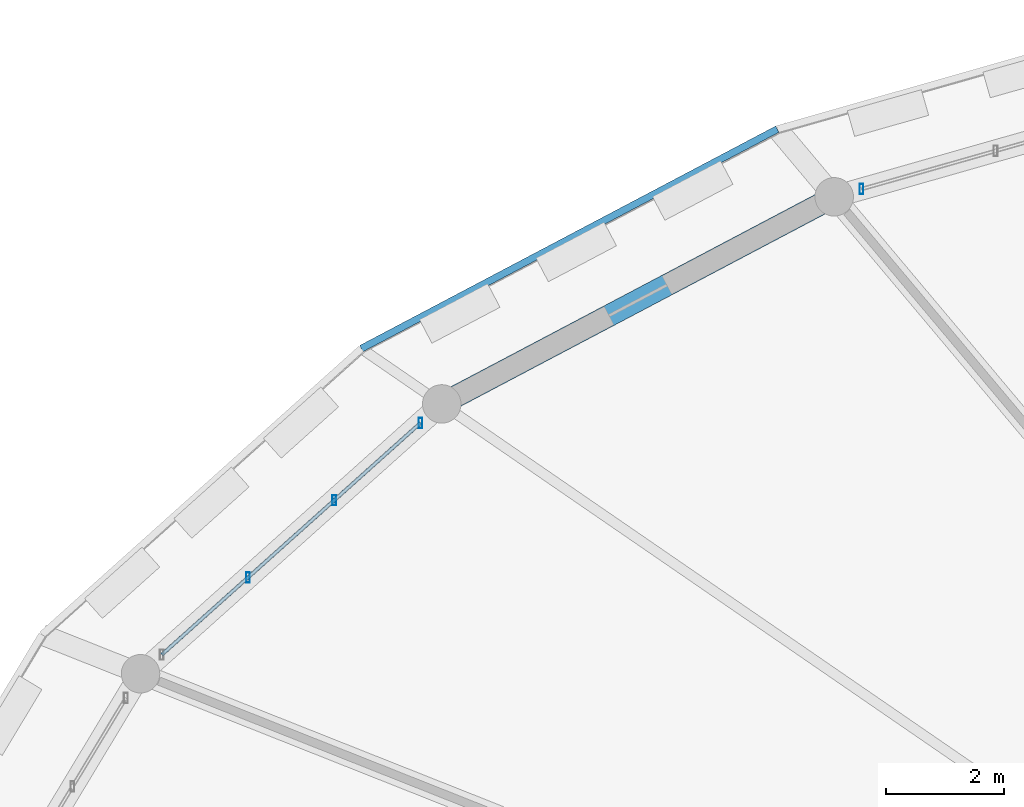
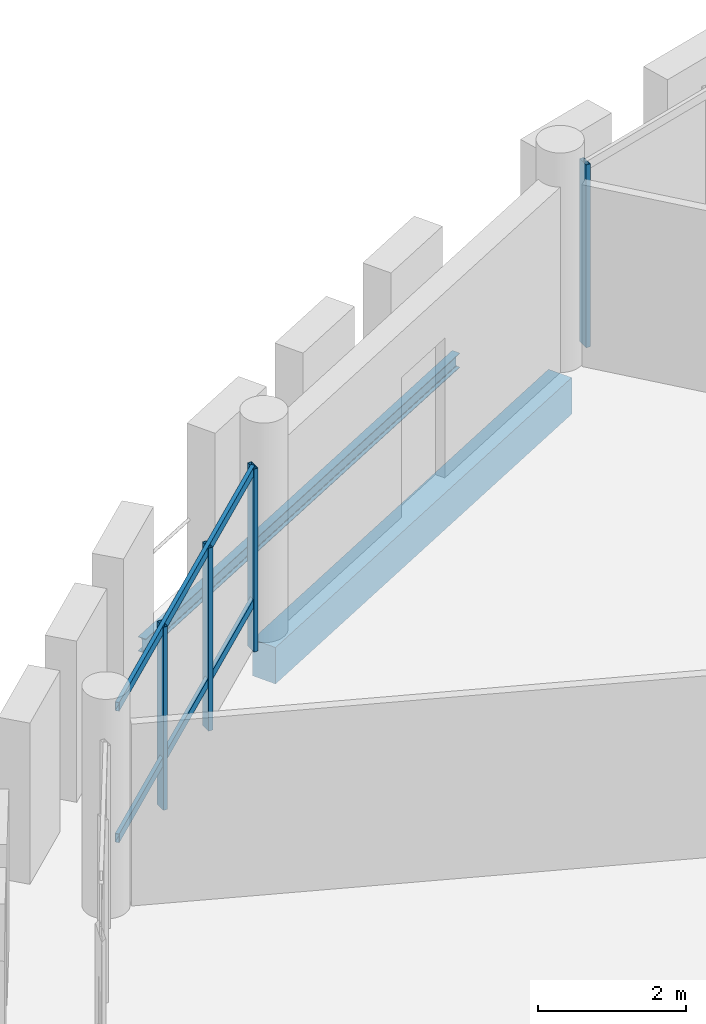
# One storey, part 41 of 93: 6 members, 2 beams, 2 elements without a shape of their own.
"""IFC4 building model written with IfcOpenShell, lengths in metres."""

from ifc_helpers import new_model, si_unit, direction, frame, origin, origin_2d, place, context, subcontext, project, spatial, rectangle, hollow_rectangle, i_section, extrude, material, material_profile, profile_set, type_object, element, aggregate, save


model = new_model("IFC4")

# Units and contexts
model_context = context("Model", 3, precision=1e-05, world=origin(), true_north=direction((0.0, 1.0)))
body_context = subcontext(model_context, "Body", "Model", "MODEL_VIEW")
ifc_project = project(units=[si_unit("LENGTHUNIT", "METRE"), si_unit("AREAUNIT", "SQUARE_METRE"), si_unit("VOLUMEUNIT", "CUBIC_METRE"), si_unit("PLANEANGLEUNIT", "RADIAN"), si_unit("MASSUNIT", "GRAM", prefix="KILO")], contexts=[model_context])

# Site, building, storey
site_placement = place(None, origin())
site = spatial("IfcSite", under=ifc_project, at=site_placement, CompositionType="ELEMENT")
building_placement = place(site_placement, origin())
building = spatial("IfcBuilding", under=site, at=building_placement, Name="Zornivar Specialist Clinic", CompositionType="ELEMENT")
storey_placement = place(building_placement, frame((0.0, 0.0, 8.39990234375)))
storey = spatial("IfcBuildingStorey", under=building, at=storey_placement, Name="L02", CompositionType="ELEMENT", Elevation=8.39990234375)

# Beams
ifc_material_1 = material(Name="Concrete C30/37", Category="concrete")
ifc_material_profile_1 = material_profile(ifc_material_1, rectangle(XDim=0.3701171875, YDim=0.60009765625, at=origin_2d()), Name="RC 370x600")
ifc_profile_set_1 = profile_set([ifc_material_profile_1], Name="Concrete C30/37")
beam_type_1 = type_object("IfcBeamType", Name="BM-RC-SPANDREL-370x600", PredefinedType="SPANDREL", material=ifc_profile_set_1)
beam_1_placement = place(storey_placement, frame((77.60009765625, 76.653076171875, -0.539794921875), z_axis=(-0.8844187475, -0.466694202954, 0.0), x_axis=(0.466694202954, -0.8844187475, 0.0)))
element("IfcBeam", 1, at=beam_1_placement, inside=storey, type_object=beam_type_1, Name="bm:V1:L02:outring:08", PredefinedType="SPANDREL", context=body_context, shape_type="SweptSolid", body=[
    extrude(rectangle(XDim=0.3701171875, YDim=0.60009765625, at=origin_2d()), origin(), (0.0, 0.0, 1.0), 7.4931640625),
])
ifc_material_2 = material(Name="Steel S355J2", Category="steel")
ifc_material_profile_2 = material_profile(ifc_material_2, i_section(OverallWidth=0.1201171875, OverallDepth=0.239990234375, WebThickness=0.006103515625, FlangeThickness=0.009765625, FilletRadius=0.014892578125, at=origin_2d()), Name="IPE 240")
ifc_profile_set_2 = profile_set([ifc_material_profile_2], Name="Steel S355J2")
beam_type_2 = type_object("IfcBeamType", Name="BM-STL-IPE240", PredefinedType="JOIST", material=ifc_profile_set_2)
beam_2_placement = place(storey_placement, frame((76.639892578125, 77.7958984375, -0.35986328125), z_axis=(-0.884477081674, -0.466583638797, 0.0), x_axis=(0.466583638797, -0.884477081674, 0.0)))
element("IfcBeam", 2, at=beam_2_placement, inside=storey, type_object=beam_type_2, Name="bm:V1:L02:balring:08", PredefinedType="JOIST", context=body_context, shape_type="SweptSolid", body=[
    extrude(i_section(OverallWidth=0.1201171875, OverallDepth=0.239990234375, WebThickness=0.006103515625, FlangeThickness=0.009765625, FilletRadius=0.014892578125, at=origin_2d()), origin(), (0.0, 0.0, 1.0), 7.9423828125),
])

# Curtain wall, member
ifc_material_3 = material(Name="Aluminium and Low-E Glass Curtain Wall", Category="aluminium")
curtain_wall_type = type_object("IfcCurtainWallType", Name="CW-DRUM-FACET", PredefinedType="NOTDEFINED", material=ifc_material_3)
curtain_wall_1_placement = place(storey_placement, origin())
curtain_wall_1 = element("IfcCurtainWall", 3, at=curtain_wall_1_placement, inside=storey, type_object=curtain_wall_type, Name="cw:V1:L02:c07", PredefinedType="NOTDEFINED")
ifc_material_4 = material(Name="Aluminium AW-6060", Category="aluminium")
ifc_material_profile_3 = material_profile(ifc_material_4, hollow_rectangle(XDim=0.06494140625, YDim=0.175048828125, WallThickness=0.00439453125, at=origin_2d()), Name="ALU 65x175x4.5")
ifc_profile_set_3 = profile_set([ifc_material_profile_3], Name="Aluminium AW-6060")
member_type_1 = type_object("IfcMemberType", Name="CWM-MUL-175", PredefinedType="MULLION", material=ifc_profile_set_3)
member_1_placement = place(storey_placement, frame((78.06103515625, 76.784912109375, 0.0), z_axis=(0.0, 0.0, 1.0), x_axis=(1.0, 0.0, 0.0)))
member_1 = element("IfcMember", 4, at=member_1_placement, type_object=member_type_1, Name="cw:V1:L02:c07:mul:3", PredefinedType="MULLION", context=body_context, shape_type="SweptSolid", body=[
    extrude(hollow_rectangle(XDim=0.06494140625, YDim=0.175048828125, WallThickness=0.00439453125, at=origin_2d()), origin(), (0.0, 0.0, 1.0), 3.010009765625),
])
aggregate(curtain_wall_1, [member_1])

# Curtain wall, members
curtain_wall_2_placement = place(storey_placement, origin())
curtain_wall_2 = element("IfcCurtainWall", 5, at=curtain_wall_2_placement, inside=storey, type_object=curtain_wall_type, Name="cw:V1:L02:c09", PredefinedType="NOTDEFINED")
member_2_placement = place(storey_placement, frame((70.614990234375, 72.8349609375, 0.0), z_axis=(0.0, 0.0, 1.0), x_axis=(1.0, 0.0, 0.0)))
member_2 = element("IfcMember", 6, at=member_2_placement, type_object=member_type_1, Name="cw:V1:L02:c09:mul:0", PredefinedType="MULLION", context=body_context, shape_type="SweptSolid", body=[
    extrude(hollow_rectangle(XDim=0.06494140625, YDim=0.175048828125, WallThickness=0.00439453125, at=origin_2d()), origin(), (0.0, 0.0, 1.0), 3.010009765625),
])
member_3_placement = place(storey_placement, frame((69.157958984375, 71.530029296875, 0.0), z_axis=(0.0, 0.0, 1.0), x_axis=(1.0, 0.0, 0.0)))
member_3 = element("IfcMember", 7, at=member_3_placement, type_object=member_type_1, Name="cw:V1:L02:c09:mul:1", PredefinedType="MULLION", context=body_context, shape_type="SweptSolid", body=[
    extrude(hollow_rectangle(XDim=0.06494140625, YDim=0.175048828125, WallThickness=0.00439453125, at=origin_2d()), origin(), (0.0, 0.0, 1.0), 3.010009765625),
])
member_4_placement = place(storey_placement, frame((67.700927734375, 70.22509765625, 0.0), z_axis=(0.0, 0.0, 1.0), x_axis=(1.0, 0.0, 0.0)))
member_4 = element("IfcMember", 8, at=member_4_placement, type_object=member_type_1, Name="cw:V1:L02:c09:mul:2", PredefinedType="MULLION", context=body_context, shape_type="SweptSolid", body=[
    extrude(hollow_rectangle(XDim=0.06494140625, YDim=0.175048828125, WallThickness=0.00439453125, at=origin_2d()), origin(), (0.0, 0.0, 1.0), 3.010009765625),
])
ifc_material_5 = material(Name="Aluminium AW-6060", Category="aluminium")
ifc_material_profile_4 = material_profile(ifc_material_5, hollow_rectangle(XDim=0.06005859375, YDim=0.14501953125, WallThickness=0.00390625, at=origin_2d()), Name="ALU 60x145x4")
ifc_profile_set_4 = profile_set([ifc_material_profile_4], Name="Aluminium AW-6060")
member_type_2 = type_object("IfcMemberType", Name="CWM-TRN-145", PredefinedType="USERDEFINED", material=ifc_profile_set_4)
member_5_placement = place(storey_placement, frame((70.614990234375, 72.8349609375, 0.783203125), z_axis=(-0.744887471381, -0.667190119067, 0.0), x_axis=(0.667190119067, -0.744887471381, 0.0)))
member_5 = element("IfcMember", 9, at=member_5_placement, type_object=member_type_2, Name="cw:V1:L02:c09:trn:0", ObjectType="TRANSOM", PredefinedType="USERDEFINED", context=body_context, shape_type="SweptSolid", body=[
    extrude(hollow_rectangle(XDim=0.06005859375, YDim=0.14501953125, WallThickness=0.00390625, at=origin_2d()), origin(), (0.0, 0.0, 1.0), 5.866455078125),
])
member_6_placement = place(storey_placement, frame((70.614990234375, 72.8349609375, 2.945068359375), z_axis=(-0.744887471381, -0.667190119067, 0.0), x_axis=(0.667190119067, -0.744887471381, 0.0)))
member_6 = element("IfcMember", 10, at=member_6_placement, type_object=member_type_2, Name="cw:V1:L02:c09:trn:1", ObjectType="TRANSOM", PredefinedType="USERDEFINED", context=body_context, shape_type="SweptSolid", body=[
    extrude(hollow_rectangle(XDim=0.06005859375, YDim=0.14501953125, WallThickness=0.00390625, at=origin_2d()), origin(), (0.0, 0.0, 1.0), 5.866455078125),
])
aggregate(curtain_wall_2, [member_2, member_3, member_4, member_5, member_6])

save(model, "model.ifc")
